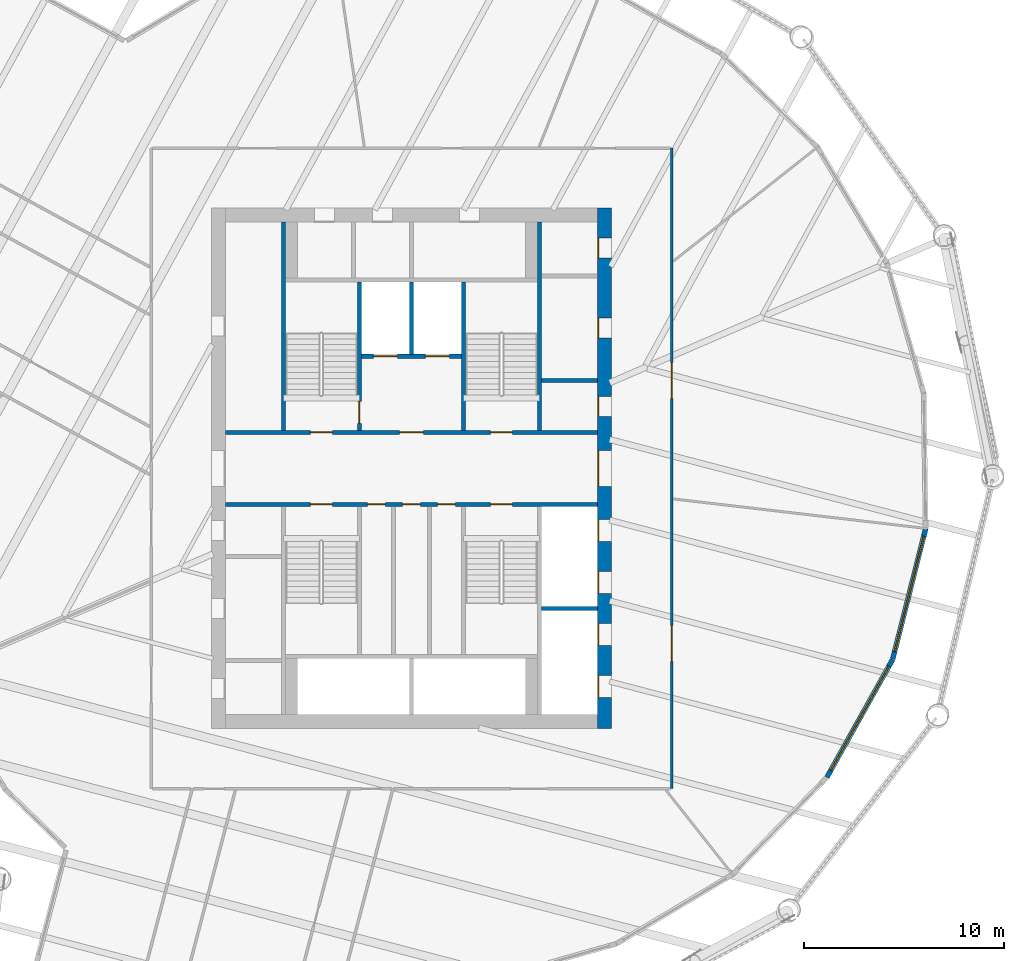
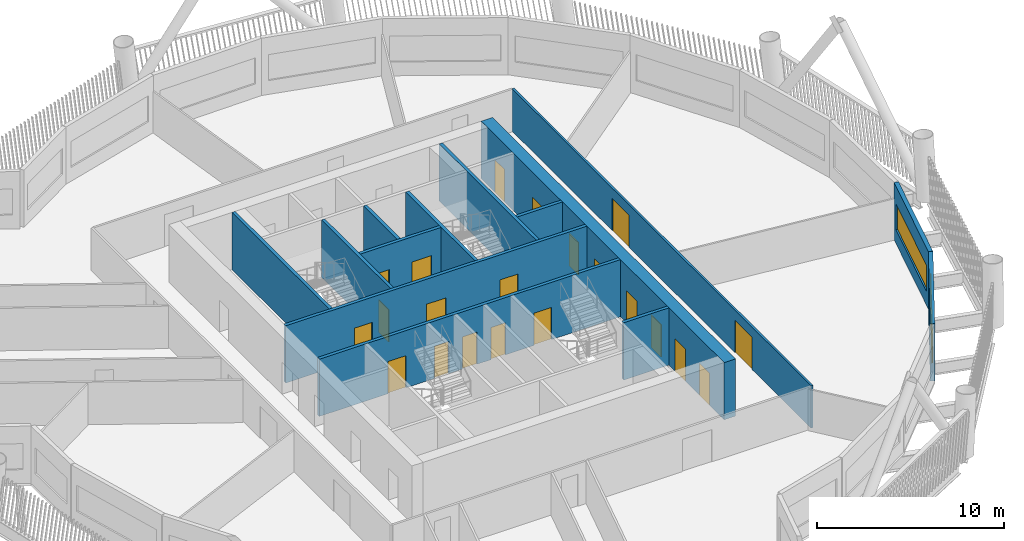
# One storey, part 5 of 24: 21 doors, 14 walls, 2 windows, 23 openings.
"""IFC4 building model written with IfcOpenShell, lengths in metres."""

from ifc_helpers import new_model, si_unit, direction, frame, frame_2d, origin, place, context, subcontext, project, spatial, rectangle, extrude, material, layer, layer_set, type_object, element, fill, save


model = new_model("IFC4")

# Units and contexts
model_context = context("Model", 3, precision=1e-05, world=origin(), true_north=direction((0.0, 1.0)))
body_context = subcontext(model_context, "Body", "Model", "MODEL_VIEW")
ifc_project = project(units=[si_unit("LENGTHUNIT", "METRE"), si_unit("AREAUNIT", "SQUARE_METRE"), si_unit("VOLUMEUNIT", "CUBIC_METRE"), si_unit("PLANEANGLEUNIT", "RADIAN"), si_unit("MASSUNIT", "GRAM", prefix="KILO")], contexts=[model_context])

# Site, building, storey
site_placement = place(None, origin())
site = spatial("IfcSite", under=ifc_project, at=site_placement, CompositionType="ELEMENT")
building_placement = place(site_placement, origin())
building = spatial("IfcBuilding", under=site, at=building_placement, Name="Tarsis Ring Headquarters", CompositionType="ELEMENT")
storey_placement = place(building_placement, frame((0.0, 0.0, 163.199951171875)))
storey = spatial("IfcBuildingStorey", under=building, at=storey_placement, Name="L37", CompositionType="ELEMENT", Elevation=163.199951171875)

# Wall
ifc_material_1 = material(Name="Blockwork", Category="masonry")
ifc_layer_1 = layer(ifc_material_1, 0.199951171875)
ifc_layer_set_1 = layer_set([ifc_layer_1], Name="Core blockwork wall 200")
wall_type_1 = type_object("IfcWallType", Name="Core blockwork wall 200", PredefinedType="PARTITIONING", material=ifc_layer_set_1)
wall_1_placement = place(storey_placement, frame((6.5, 4.39990234375, 0.0), z_axis=(0.0, 0.0, 1.0), x_axis=(1.0, 0.0, 0.0)))
element("IfcWall", 1, at=wall_1_placement, inside=storey, type_object=wall_type_1, Name="Core partition ED5", PredefinedType="PARTITIONING", context=body_context, shape_type="SweptSolid", body=[
    extrude(rectangle(XDim=2.800048828125, YDim=0.199951171875, at=frame_2d((1.39990234375, 0.0))), origin(), (0.0, 0.0, 1.0), 3.739990234375),
])

# Wall, openings, doors
ifc_material_2 = material(Name="Concrete C60/75", Category="concrete")
ifc_layer_2 = layer(ifc_material_2, 0.699951171875)
ifc_layer_set_2 = layer_set([ifc_layer_2], Name="Core wall 700 C60/75")
wall_type_2 = type_object("IfcWallType", Name="Core wall 700 C60/75", PredefinedType="SHEAR", material=ifc_layer_set_2)
wall_2_placement = place(storey_placement, frame((9.64990234375, -13.0, 0.0), z_axis=(0.0, 0.0, 1.0), x_axis=(0.0, 1.0, 0.0)))
wall_2 = element("IfcWall", 2, at=wall_2_placement, inside=storey, type_object=wall_type_2, Name="Core wall OE", PredefinedType="SHEAR", context=body_context, shape_type="SweptSolid", body=[
    extrude(rectangle(XDim=26.0, YDim=0.699951171875, at=frame_2d((13.0, 0.0))), origin(), (0.0, 0.0, 1.0), 3.739990234375),
])
opening_1_placement = place(wall_2_placement, frame((1.550048828125, 0.0, 0.0)))
opening_1 = element("IfcOpeningElement", 3, at=opening_1_placement, cuts=wall_2, Name="Opening LD-MR1", PredefinedType="OPENING", context=body_context, shape_type="SweptSolid", body=[
    extrude(rectangle(XDim=1.10009765625, YDim=2.10009765625, at=frame_2d((0.550048828125, 1.050048828125))), frame((0.0, 0.35986328125, 0.0), z_axis=(0.0, -1.0, 0.0), x_axis=(1.0, 0.0, 0.0)), (0.0, 0.0, 1.0), 0.719970703125),
])
opening_2_placement = place(wall_2_placement, frame((4.14990234375, 0.0, 0.0)))
opening_2 = element("IfcOpeningElement", 4, at=opening_2_placement, cuts=wall_2, Name="Opening LD-MR2", PredefinedType="OPENING", context=body_context, shape_type="SweptSolid", body=[
    extrude(rectangle(XDim=1.10009765625, YDim=2.10009765625, at=frame_2d((0.550048828125, 1.050048828125))), frame((0.0, 0.35986328125, 0.0), z_axis=(0.0, -1.0, 0.0), x_axis=(1.0, 0.0, 0.0)), (0.0, 0.0, 1.0), 0.719970703125),
])
opening_3_placement = place(wall_2_placement, frame((6.75, 0.0, 0.0)))
opening_3 = element("IfcOpeningElement", 5, at=opening_3_placement, cuts=wall_2, Name="Opening LD-MR3", PredefinedType="OPENING", context=body_context, shape_type="SweptSolid", body=[
    extrude(rectangle(XDim=1.10009765625, YDim=2.10009765625, at=frame_2d((0.550048828125, 1.050048828125))), frame((0.0, 0.35986328125, 0.0), z_axis=(0.0, -1.0, 0.0), x_axis=(1.0, 0.0, 0.0)), (0.0, 0.0, 1.0), 0.719970703125),
])
opening_4_placement = place(wall_2_placement, frame((9.35009765625, 0.0, 0.0)))
opening_4 = element("IfcOpeningElement", 6, at=opening_4_placement, cuts=wall_2, Name="Opening LD-MR4", PredefinedType="OPENING", context=body_context, shape_type="SweptSolid", body=[
    extrude(rectangle(XDim=1.10009765625, YDim=2.10009765625, at=frame_2d((0.550048828125, 1.050048828125))), frame((0.0, 0.35986328125, 0.0), z_axis=(0.0, -1.0, 0.0), x_axis=(1.0, 0.0, 0.0)), (0.0, 0.0, 1.0), 0.719970703125),
])
opening_5_placement = place(wall_2_placement, frame((12.10009765625, 0.0, 0.0)))
opening_5 = element("IfcOpeningElement", 7, at=opening_5_placement, cuts=wall_2, Name="Opening L37-C10", PredefinedType="OPENING", context=body_context, shape_type="SweptSolid", body=[
    extrude(rectangle(XDim=1.800048828125, YDim=2.10009765625, at=frame_2d((0.89990234375, 1.050048828125))), frame((0.0, 0.35986328125, 0.0), z_axis=(0.0, -1.0, 0.0), x_axis=(1.0, 0.0, 0.0)), (0.0, 0.0, 1.0), 0.719970703125),
])
opening_6_placement = place(wall_2_placement, frame((15.60009765625, 0.0, 0.0)))
opening_6 = element("IfcOpeningElement", 8, at=opening_6_placement, cuts=wall_2, Name="Opening L37-C11", PredefinedType="OPENING", context=body_context, shape_type="SweptSolid", body=[
    extrude(rectangle(XDim=1.0, YDim=2.10009765625, at=frame_2d((0.5, 1.050048828125))), frame((0.0, 0.35986328125, 0.0), z_axis=(0.0, -1.0, 0.0), x_axis=(1.0, 0.0, 0.0)), (0.0, 0.0, 1.0), 0.719970703125),
])
opening_7_placement = place(wall_2_placement, frame((19.5, 0.0, 0.0)))
opening_7 = element("IfcOpeningElement", 9, at=opening_7_placement, cuts=wall_2, Name="Opening L37-C12", PredefinedType="OPENING", context=body_context, shape_type="SweptSolid", body=[
    extrude(rectangle(XDim=1.0, YDim=2.10009765625, at=frame_2d((0.5, 1.050048828125))), frame((0.0, 0.35986328125, 0.0), z_axis=(0.0, -1.0, 0.0), x_axis=(1.0, 0.0, 0.0)), (0.0, 0.0, 1.0), 0.719970703125),
])
opening_8_placement = place(wall_2_placement, frame((23.5, 0.0, 0.0)))
opening_8 = element("IfcOpeningElement", 10, at=opening_8_placement, cuts=wall_2, Name="Opening L37-C13", PredefinedType="OPENING", context=body_context, shape_type="SweptSolid", body=[
    extrude(rectangle(XDim=1.0, YDim=2.10009765625, at=frame_2d((0.5, 1.050048828125))), frame((0.0, 0.35986328125, 0.0), z_axis=(0.0, -1.0, 0.0), x_axis=(1.0, 0.0, 0.0)), (0.0, 0.0, 1.0), 0.719970703125),
])
ifc_material_3 = material(Name="Steel S355", Category="steel")
door_type_1 = type_object("IfcDoorType", Name="Core entry door 1800x2100", OperationType="DOUBLE_DOOR_SINGLE_SWING", PredefinedType="DOOR", material=ifc_material_3)
door_1_placement = place(opening_5_placement, origin())
door_1 = element("IfcDoor", 11, at=door_1_placement, inside=storey, type_object=door_type_1, Name="Core entry door L37", OperationType="DOUBLE_DOOR_SINGLE_SWING", OverallHeight=2.10009765625, OverallWidth=1.800048828125, PredefinedType="DOOR", context=body_context, shape_type="SweptSolid", body=[
    extrude(rectangle(XDim=1.800048828125, YDim=2.10009765625, at=frame_2d((0.89990234375, 1.050048828125))), frame((0.0, 0.35009765625, 0.0), z_axis=(0.0, -1.0, 0.0), x_axis=(1.0, 0.0, 0.0)), (0.0, 0.0, 1.0), 0.050048828125),
])
fill(opening_5, door_1)
door_type_2 = type_object("IfcDoorType", Name="Core room door 1000x2100", OperationType="SINGLE_SWING_LEFT", PredefinedType="DOOR", material=ifc_material_3)
door_2_placement = place(opening_6_placement, origin())
door_2 = element("IfcDoor", 12, at=door_2_placement, inside=storey, type_object=door_type_2, Name="Core room door L37", OperationType="SINGLE_SWING_LEFT", OverallHeight=2.10009765625, OverallWidth=1.0, PredefinedType="DOOR", context=body_context, shape_type="SweptSolid", body=[
    extrude(rectangle(XDim=1.0, YDim=2.10009765625, at=frame_2d((0.5, 1.050048828125))), frame((0.0, 0.35009765625, 0.0), z_axis=(0.0, -1.0, 0.0), x_axis=(1.0, 0.0, 0.0)), (0.0, 0.0, 1.0), 0.050048828125),
])
fill(opening_6, door_2)
door_3_placement = place(opening_7_placement, origin())
door_3 = element("IfcDoor", 13, at=door_3_placement, inside=storey, type_object=door_type_2, Name="Core room door L37", OperationType="SINGLE_SWING_LEFT", OverallHeight=2.10009765625, OverallWidth=1.0, PredefinedType="DOOR", context=body_context, shape_type="SweptSolid", body=[
    extrude(rectangle(XDim=1.0, YDim=2.10009765625, at=frame_2d((0.5, 1.050048828125))), frame((0.0, 0.35009765625, 0.0), z_axis=(0.0, -1.0, 0.0), x_axis=(1.0, 0.0, 0.0)), (0.0, 0.0, 1.0), 0.050048828125),
])
fill(opening_7, door_3)
door_4_placement = place(opening_8_placement, origin())
door_4 = element("IfcDoor", 14, at=door_4_placement, inside=storey, type_object=door_type_2, Name="Core room door L37", OperationType="SINGLE_SWING_LEFT", OverallHeight=2.10009765625, OverallWidth=1.0, PredefinedType="DOOR", context=body_context, shape_type="SweptSolid", body=[
    extrude(rectangle(XDim=1.0, YDim=2.10009765625, at=frame_2d((0.5, 1.050048828125))), frame((0.0, 0.35009765625, 0.0), z_axis=(0.0, -1.0, 0.0), x_axis=(1.0, 0.0, 0.0)), (0.0, 0.0, 1.0), 0.050048828125),
])
fill(opening_8, door_4)
door_type_3 = type_object("IfcDoorType", Name="Landing door 1100x2100", OperationType="SLIDING_TO_LEFT", PredefinedType="DOOR", material=ifc_material_3)
door_5_placement = place(opening_1_placement, origin())
door_5 = element("IfcDoor", 15, at=door_5_placement, inside=storey, type_object=door_type_3, Name="Landing door MR1 L37", OperationType="SLIDING_TO_LEFT", OverallHeight=2.10009765625, OverallWidth=1.10009765625, PredefinedType="DOOR", context=body_context, shape_type="SweptSolid", body=[
    extrude(rectangle(XDim=1.10009765625, YDim=2.10009765625, at=frame_2d((0.550048828125, 1.050048828125))), frame((0.0, 0.35009765625, 0.0), z_axis=(0.0, -1.0, 0.0), x_axis=(1.0, 0.0, 0.0)), (0.0, 0.0, 1.0), 0.050048828125),
])
fill(opening_1, door_5)
door_6_placement = place(opening_2_placement, origin())
door_6 = element("IfcDoor", 16, at=door_6_placement, inside=storey, type_object=door_type_3, Name="Landing door MR2 L37", OperationType="SLIDING_TO_LEFT", OverallHeight=2.10009765625, OverallWidth=1.10009765625, PredefinedType="DOOR", context=body_context, shape_type="SweptSolid", body=[
    extrude(rectangle(XDim=1.10009765625, YDim=2.10009765625, at=frame_2d((0.550048828125, 1.050048828125))), frame((0.0, 0.35009765625, 0.0), z_axis=(0.0, -1.0, 0.0), x_axis=(1.0, 0.0, 0.0)), (0.0, 0.0, 1.0), 0.050048828125),
])
fill(opening_2, door_6)
door_7_placement = place(opening_3_placement, origin())
door_7 = element("IfcDoor", 17, at=door_7_placement, inside=storey, type_object=door_type_3, Name="Landing door MR3 L37", OperationType="SLIDING_TO_LEFT", OverallHeight=2.10009765625, OverallWidth=1.10009765625, PredefinedType="DOOR", context=body_context, shape_type="SweptSolid", body=[
    extrude(rectangle(XDim=1.10009765625, YDim=2.10009765625, at=frame_2d((0.550048828125, 1.050048828125))), frame((0.0, 0.35009765625, 0.0), z_axis=(0.0, -1.0, 0.0), x_axis=(1.0, 0.0, 0.0)), (0.0, 0.0, 1.0), 0.050048828125),
])
fill(opening_3, door_7)
door_8_placement = place(opening_4_placement, origin())
door_8 = element("IfcDoor", 18, at=door_8_placement, inside=storey, type_object=door_type_3, Name="Landing door MR4 L37", OperationType="SLIDING_TO_LEFT", OverallHeight=2.10009765625, OverallWidth=1.10009765625, PredefinedType="DOOR", context=body_context, shape_type="SweptSolid", body=[
    extrude(rectangle(XDim=1.10009765625, YDim=2.10009765625, at=frame_2d((0.550048828125, 1.050048828125))), frame((0.0, 0.35009765625, 0.0), z_axis=(0.0, -1.0, 0.0), x_axis=(1.0, 0.0, 0.0)), (0.0, 0.0, 1.0), 0.050048828125),
])
fill(opening_4, door_8)

ifc_material_4 = material(Name="Gypsum board on steel studs", Category="steel")
ifc_layer_3 = layer(ifc_material_4, 0.125)
ifc_layer_set_3 = layer_set([ifc_layer_3], Name="FL partition 125 EI 60 H2770")
wall_type_3 = type_object("IfcWallType", Name="FL partition 125 EI 60 H2770", PredefinedType="PARTITIONING", material=ifc_layer_set_3)
wall_3_placement = place(storey_placement, frame((13.0, -16.0, 0.0), z_axis=(0.0, 0.0, 1.0), x_axis=(0.0, 1.0, 0.0)))
wall_3 = element("IfcWall", 19, at=wall_3_placement, inside=storey, type_object=wall_type_3, Name="Partition PW1", PredefinedType="PARTITIONING", context=body_context, shape_type="SweptSolid", body=[
    extrude(rectangle(XDim=32.0, YDim=0.125, at=frame_2d((16.0, 0.0))), origin(), (0.0, 0.0, 1.0), 2.77001953125),
])
opening_9_placement = place(wall_3_placement, frame((19.481689453125, 0.0, 0.0)))
opening_9 = element("IfcOpeningElement", 20, at=opening_9_placement, cuts=wall_3, Name="Opening D37.05", PredefinedType="OPENING", context=body_context, shape_type="SweptSolid", body=[
    extrude(rectangle(XDim=1.800048828125, YDim=2.10009765625, at=frame_2d((0.89990234375, 1.050048828125))), frame((0.0, 0.072509765625, 0.0), z_axis=(0.0, -1.0, 0.0), x_axis=(1.0, 0.0, 0.0)), (0.0, 0.0, 1.0), 0.14501953125),
])
opening_10_placement = place(wall_3_placement, frame((6.341064453125, 0.0, 0.0)))
opening_10 = element("IfcOpeningElement", 21, at=opening_10_placement, cuts=wall_3, Name="Opening D37.06", PredefinedType="OPENING", context=body_context, shape_type="SweptSolid", body=[
    extrude(rectangle(XDim=1.800048828125, YDim=2.10009765625, at=frame_2d((0.89990234375, 1.050048828125))), frame((0.0, 0.072509765625, 0.0), z_axis=(0.0, -1.0, 0.0), x_axis=(1.0, 0.0, 0.0)), (0.0, 0.0, 1.0), 0.14501953125),
])
ifc_material_5 = material(Name="Fire-rated timber door leaf in steel frame", Category="steel")
door_type_4 = type_object("IfcDoorType", Name="FL door FD60-1800", OperationType="DOUBLE_DOOR_SINGLE_SWING", PredefinedType="DOOR", material=ifc_material_5)
door_9_placement = place(opening_9_placement, origin())
door_9 = element("IfcDoor", 22, at=door_9_placement, inside=storey, type_object=door_type_4, Name="Door D37.05", OperationType="DOUBLE_DOOR_SINGLE_SWING", OverallHeight=2.10009765625, OverallWidth=1.800048828125, PredefinedType="DOOR", context=body_context, shape_type="SweptSolid", body=[
    extrude(rectangle(XDim=1.800048828125, YDim=2.10009765625, at=frame_2d((0.89990234375, 1.050048828125))), frame((0.0, 0.02490234375, 0.0), z_axis=(0.0, -1.0, 0.0), x_axis=(1.0, 0.0, 0.0)), (0.0, 0.0, 1.0), 0.050048828125),
])
fill(opening_9, door_9)
door_10_placement = place(opening_10_placement, origin())
door_10 = element("IfcDoor", 23, at=door_10_placement, inside=storey, type_object=door_type_4, Name="Door D37.06", OperationType="DOUBLE_DOOR_SINGLE_SWING", OverallHeight=2.10009765625, OverallWidth=1.800048828125, PredefinedType="DOOR", context=body_context, shape_type="SweptSolid", body=[
    extrude(rectangle(XDim=1.800048828125, YDim=2.10009765625, at=frame_2d((0.89990234375, 1.050048828125))), frame((0.0, 0.02490234375, 0.0), z_axis=(0.0, -1.0, 0.0), x_axis=(1.0, 0.0, 0.0)), (0.0, 0.0, 1.0), 0.050048828125),
])
fill(opening_10, door_10)

# Wall, opening, window
ifc_material_6 = material(Name="Terracotta clad insulated panel wall", Category="masonry")
ifc_layer_4 = layer(ifc_material_6, 0.25)
ifc_layer_set_4 = layer_set([ifc_layer_4], Name="Facade wall terracotta panel 250")
wall_type_4 = type_object("IfcWallType", Name="Facade wall terracotta panel 250", PredefinedType="STANDARD", material=ifc_layer_set_4)
wall_4_placement = place(storey_placement, frame((20.763916015625, -15.43408203125, 0.0), z_axis=(0.0, 0.0, 1.0), x_axis=(0.487261173596, 0.87325629039, 0.0)))
wall_4 = element("IfcWall", 24, at=wall_4_placement, inside=storey, type_object=wall_type_4, Name="External wall L37-20", PredefinedType="STANDARD", context=body_context, shape_type="SweptSolid", body=[
    extrude(rectangle(XDim=6.721435546875, YDim=0.25, at=frame_2d((3.36083984375, 0.0))), origin(), (0.0, 0.0, 1.0), 3.739990234375),
])
opening_11_placement = place(wall_4_placement, frame((0.3857421875, 0.0, 0.89990234375)))
opening_11 = element("IfcOpeningElement", 25, at=opening_11_placement, cuts=wall_4, Name="Opening WN07", PredefinedType="OPENING", context=body_context, shape_type="SweptSolid", body=[
    extrude(rectangle(XDim=5.949951171875, YDim=1.699951171875, at=frame_2d((2.97509765625, 0.85009765625))), frame((0.0, 0.135009765625, 0.0), z_axis=(0.0, -1.0, 0.0), x_axis=(1.0, 0.0, 0.0)), (0.0, 0.0, 1.0), 0.27001953125),
])
ifc_material_7 = material(Name="Aluminium framed double glazing", Category="aluminium")
window_type = type_object("IfcWindowType", Name="Facade window 5950 x 1700", PartitioningType="SINGLE_PANEL", PredefinedType="WINDOW", material=ifc_material_7)
window_1_placement = place(opening_11_placement, origin())
window_1 = element("IfcWindow", 26, at=window_1_placement, inside=storey, type_object=window_type, Name="Window L37-20.1", OverallHeight=1.699951171875, OverallWidth=5.949951171875, PartitioningType="SINGLE_PANEL", PredefinedType="WINDOW", context=body_context, shape_type="SweptSolid", body=[
    extrude(rectangle(XDim=5.949951171875, YDim=1.699951171875, at=frame_2d((2.97509765625, 0.85009765625))), frame((0.0, 0.030029296875, 0.0), z_axis=(0.0, -1.0, 0.0), x_axis=(1.0, 0.0, 0.0)), (0.0, 0.0, 1.0), 0.06005859375),
])
fill(opening_11, window_1)

wall_5_placement = place(storey_placement, frame((24.051025390625, -9.533935546875, 0.0), z_axis=(0.0, 0.0, 1.0), x_axis=(0.244637534485, 0.96961460216, 0.0)))
wall_5 = element("IfcWall", 27, at=wall_5_placement, inside=storey, type_object=wall_type_4, Name="External wall L37-21", PredefinedType="STANDARD", context=body_context, shape_type="SweptSolid", body=[
    extrude(rectangle(XDim=6.721435546875, YDim=0.25, at=frame_2d((3.36083984375, 0.0))), origin(), (0.0, 0.0, 1.0), 3.739990234375),
])
opening_12_placement = place(wall_5_placement, frame((0.3857421875, 0.0, 0.89990234375)))
opening_12 = element("IfcOpeningElement", 28, at=opening_12_placement, cuts=wall_5, Name="Opening WN07", PredefinedType="OPENING", context=body_context, shape_type="SweptSolid", body=[
    extrude(rectangle(XDim=5.949951171875, YDim=1.699951171875, at=frame_2d((2.97509765625, 0.85009765625))), frame((0.0, 0.135009765625, 0.0), z_axis=(0.0, -1.0, 0.0), x_axis=(1.0, 0.0, 0.0)), (0.0, 0.0, 1.0), 0.27001953125),
])
window_2_placement = place(opening_12_placement, origin())
window_2 = element("IfcWindow", 29, at=window_2_placement, inside=storey, type_object=window_type, Name="Window L37-21.1", OverallHeight=1.699951171875, OverallWidth=5.949951171875, PartitioningType="SINGLE_PANEL", PredefinedType="WINDOW", context=body_context, shape_type="SweptSolid", body=[
    extrude(rectangle(XDim=5.949951171875, YDim=1.699951171875, at=frame_2d((2.97509765625, 0.85009765625))), frame((0.0, 0.030029296875, 0.0), z_axis=(0.0, -1.0, 0.0), x_axis=(1.0, 0.0, 0.0)), (0.0, 0.0, 1.0), 0.06005859375),
])
fill(opening_12, window_2)

# Wall, openings, doors
ifc_material_8 = material(Name="Concrete C32/40", Category="concrete")
ifc_layer_5 = layer(ifc_material_8, 0.199951171875)
ifc_layer_set_5 = layer_set([ifc_layer_5], Name="Shaft wall 200 C32/40")
wall_type_5 = type_object("IfcWallType", Name="Shaft wall 200 C32/40", PredefinedType="SOLIDWALL", material=ifc_layer_set_5)
wall_6_placement = place(storey_placement, frame((-9.300048828125, 1.800048828125, 0.0), z_axis=(0.0, 0.0, 1.0), x_axis=(1.0, 0.0, 0.0)))
wall_6 = element("IfcWall", 30, at=wall_6_placement, inside=storey, type_object=wall_type_5, Name="Core shaft wall CN", PredefinedType="SOLIDWALL", context=body_context, shape_type="SweptSolid", body=[
    extrude(rectangle(XDim=18.60009765625, YDim=0.199951171875, at=frame_2d((9.300048828125, 0.0))), origin(), (0.0, 0.0, 1.0), 3.739990234375),
])
opening_13_placement = place(wall_6_placement, frame((4.25, 0.0, 0.0)))
opening_13 = element("IfcOpeningElement", 31, at=opening_13_placement, cuts=wall_6, Name="Opening L37-C17", PredefinedType="OPENING", context=body_context, shape_type="SweptSolid", body=[
    extrude(rectangle(XDim=1.10009765625, YDim=2.10009765625, at=frame_2d((0.550048828125, 1.050048828125))), frame((0.0, 0.10986328125, 0.0), z_axis=(0.0, -1.0, 0.0), x_axis=(1.0, 0.0, 0.0)), (0.0, 0.0, 1.0), 0.219970703125),
])
opening_14_placement = place(wall_6_placement, frame((8.699951171875, 0.0, 0.0)))
opening_14 = element("IfcOpeningElement", 32, at=opening_14_placement, cuts=wall_6, Name="Opening L37-C18", PredefinedType="OPENING", context=body_context, shape_type="SweptSolid", body=[
    extrude(rectangle(XDim=1.199951171875, YDim=2.10009765625, at=frame_2d((0.60009765625, 1.050048828125))), frame((0.0, 0.10986328125, 0.0), z_axis=(0.0, -1.0, 0.0), x_axis=(1.0, 0.0, 0.0)), (0.0, 0.0, 1.0), 0.219970703125),
])
opening_15_placement = place(wall_6_placement, frame((13.25, 0.0, 0.0)))
opening_15 = element("IfcOpeningElement", 33, at=opening_15_placement, cuts=wall_6, Name="Opening L37-C19", PredefinedType="OPENING", context=body_context, shape_type="SweptSolid", body=[
    extrude(rectangle(XDim=1.10009765625, YDim=2.10009765625, at=frame_2d((0.550048828125, 1.050048828125))), frame((0.0, 0.10986328125, 0.0), z_axis=(0.0, -1.0, 0.0), x_axis=(1.0, 0.0, 0.0)), (0.0, 0.0, 1.0), 0.219970703125),
])
door_type_5 = type_object("IfcDoorType", Name="Firefighting lobby door 1200x2100", OperationType="DOUBLE_DOOR_SINGLE_SWING", PredefinedType="DOOR", material=ifc_material_3)
door_11_placement = place(opening_14_placement, origin())
door_11 = element("IfcDoor", 34, at=door_11_placement, inside=storey, type_object=door_type_5, Name="Firefighting lobby door L37", OperationType="DOUBLE_DOOR_SINGLE_SWING", OverallHeight=2.10009765625, OverallWidth=1.199951171875, PredefinedType="DOOR", context=body_context, shape_type="SweptSolid", body=[
    extrude(rectangle(XDim=1.199951171875, YDim=2.10009765625, at=frame_2d((0.60009765625, 1.050048828125))), frame((0.0, 0.02490234375, 0.0), z_axis=(0.0, -1.0, 0.0), x_axis=(1.0, 0.0, 0.0)), (0.0, 0.0, 1.0), 0.050048828125),
])
fill(opening_14, door_11)
door_type_6 = type_object("IfcDoorType", Name="Stair door 1100x2100", OperationType="SINGLE_SWING_LEFT", PredefinedType="DOOR", material=ifc_material_3)
door_12_placement = place(opening_13_placement, origin())
door_12 = element("IfcDoor", 35, at=door_12_placement, inside=storey, type_object=door_type_6, Name="Stair door L37", OperationType="SINGLE_SWING_LEFT", OverallHeight=2.10009765625, OverallWidth=1.10009765625, PredefinedType="DOOR", context=body_context, shape_type="SweptSolid", body=[
    extrude(rectangle(XDim=1.10009765625, YDim=2.10009765625, at=frame_2d((0.550048828125, 1.050048828125))), frame((0.0, 0.02490234375, 0.0), z_axis=(0.0, -1.0, 0.0), x_axis=(1.0, 0.0, 0.0)), (0.0, 0.0, 1.0), 0.050048828125),
])
fill(opening_13, door_12)
door_13_placement = place(opening_15_placement, origin())
door_13 = element("IfcDoor", 36, at=door_13_placement, inside=storey, type_object=door_type_6, Name="Stair door L37", OperationType="SINGLE_SWING_LEFT", OverallHeight=2.10009765625, OverallWidth=1.10009765625, PredefinedType="DOOR", context=body_context, shape_type="SweptSolid", body=[
    extrude(rectangle(XDim=1.10009765625, YDim=2.10009765625, at=frame_2d((0.550048828125, 1.050048828125))), frame((0.0, 0.02490234375, 0.0), z_axis=(0.0, -1.0, 0.0), x_axis=(1.0, 0.0, 0.0)), (0.0, 0.0, 1.0), 0.050048828125),
])
fill(opening_15, door_13)

wall_7_placement = place(storey_placement, frame((-9.300048828125, -1.800048828125, 0.0), z_axis=(0.0, 0.0, 1.0), x_axis=(1.0, 0.0, 0.0)))
wall_7 = element("IfcWall", 37, at=wall_7_placement, inside=storey, type_object=wall_type_5, Name="Core shaft wall CS", PredefinedType="SOLIDWALL", context=body_context, shape_type="SweptSolid", body=[
    extrude(rectangle(XDim=18.60009765625, YDim=0.199951171875, at=frame_2d((9.300048828125, 0.0))), origin(), (0.0, 0.0, 1.0), 3.739990234375),
])
opening_16_placement = place(wall_7_placement, frame((4.25, 0.0, 0.0)))
opening_16 = element("IfcOpeningElement", 38, at=opening_16_placement, cuts=wall_7, Name="Opening L37-C20", PredefinedType="OPENING", context=body_context, shape_type="SweptSolid", body=[
    extrude(rectangle(XDim=1.10009765625, YDim=2.10009765625, at=frame_2d((0.550048828125, 1.050048828125))), frame((0.0, 0.10986328125, 0.0), z_axis=(0.0, -1.0, 0.0), x_axis=(1.0, 0.0, 0.0)), (0.0, 0.0, 1.0), 0.219970703125),
])
opening_17_placement = place(wall_7_placement, frame((7.10009765625, 0.0, 0.0)))
opening_17 = element("IfcOpeningElement", 39, at=opening_17_placement, cuts=wall_7, Name="Opening L37-C21", PredefinedType="OPENING", context=body_context, shape_type="SweptSolid", body=[
    extrude(rectangle(XDim=0.89990234375, YDim=2.10009765625, at=frame_2d((0.449951171875, 1.050048828125))), frame((0.0, 0.10986328125, 0.0), z_axis=(0.0, -1.0, 0.0), x_axis=(1.0, 0.0, 0.0)), (0.0, 0.0, 1.0), 0.219970703125),
])
opening_18_placement = place(wall_7_placement, frame((8.85009765625, 0.0, 0.0)))
opening_18 = element("IfcOpeningElement", 40, at=opening_18_placement, cuts=wall_7, Name="Opening L37-C22", PredefinedType="OPENING", context=body_context, shape_type="SweptSolid", body=[
    extrude(rectangle(XDim=0.89990234375, YDim=2.10009765625, at=frame_2d((0.449951171875, 1.050048828125))), frame((0.0, 0.10986328125, 0.0), z_axis=(0.0, -1.0, 0.0), x_axis=(1.0, 0.0, 0.0)), (0.0, 0.0, 1.0), 0.219970703125),
])
opening_19_placement = place(wall_7_placement, frame((10.60009765625, 0.0, 0.0)))
opening_19 = element("IfcOpeningElement", 41, at=opening_19_placement, cuts=wall_7, Name="Opening L37-C23", PredefinedType="OPENING", context=body_context, shape_type="SweptSolid", body=[
    extrude(rectangle(XDim=0.89990234375, YDim=2.10009765625, at=frame_2d((0.449951171875, 1.050048828125))), frame((0.0, 0.10986328125, 0.0), z_axis=(0.0, -1.0, 0.0), x_axis=(1.0, 0.0, 0.0)), (0.0, 0.0, 1.0), 0.219970703125),
])
opening_20_placement = place(wall_7_placement, frame((13.25, 0.0, 0.0)))
opening_20 = element("IfcOpeningElement", 42, at=opening_20_placement, cuts=wall_7, Name="Opening L37-C24", PredefinedType="OPENING", context=body_context, shape_type="SweptSolid", body=[
    extrude(rectangle(XDim=1.10009765625, YDim=2.10009765625, at=frame_2d((0.550048828125, 1.050048828125))), frame((0.0, 0.10986328125, 0.0), z_axis=(0.0, -1.0, 0.0), x_axis=(1.0, 0.0, 0.0)), (0.0, 0.0, 1.0), 0.219970703125),
])
door_14_placement = place(opening_16_placement, origin())
door_14 = element("IfcDoor", 43, at=door_14_placement, inside=storey, type_object=door_type_6, Name="Stair door L37", OperationType="SINGLE_SWING_LEFT", OverallHeight=2.10009765625, OverallWidth=1.10009765625, PredefinedType="DOOR", context=body_context, shape_type="SweptSolid", body=[
    extrude(rectangle(XDim=1.10009765625, YDim=2.10009765625, at=frame_2d((0.550048828125, 1.050048828125))), frame((0.0, 0.02490234375, 0.0), z_axis=(0.0, -1.0, 0.0), x_axis=(1.0, 0.0, 0.0)), (0.0, 0.0, 1.0), 0.050048828125),
])
fill(opening_16, door_14)
door_15_placement = place(opening_20_placement, origin())
door_15 = element("IfcDoor", 44, at=door_15_placement, inside=storey, type_object=door_type_6, Name="Stair door L37", OperationType="SINGLE_SWING_LEFT", OverallHeight=2.10009765625, OverallWidth=1.10009765625, PredefinedType="DOOR", context=body_context, shape_type="SweptSolid", body=[
    extrude(rectangle(XDim=1.10009765625, YDim=2.10009765625, at=frame_2d((0.550048828125, 1.050048828125))), frame((0.0, 0.02490234375, 0.0), z_axis=(0.0, -1.0, 0.0), x_axis=(1.0, 0.0, 0.0)), (0.0, 0.0, 1.0), 0.050048828125),
])
fill(opening_20, door_15)
door_type_7 = type_object("IfcDoorType", Name="WC door 900x2100", OperationType="SINGLE_SWING_LEFT", PredefinedType="DOOR", material=ifc_material_3)
door_16_placement = place(opening_17_placement, origin())
door_16 = element("IfcDoor", 45, at=door_16_placement, inside=storey, type_object=door_type_7, Name="WC door L37", OperationType="SINGLE_SWING_LEFT", OverallHeight=2.10009765625, OverallWidth=0.89990234375, PredefinedType="DOOR", context=body_context, shape_type="SweptSolid", body=[
    extrude(rectangle(XDim=0.89990234375, YDim=2.10009765625, at=frame_2d((0.449951171875, 1.050048828125))), frame((0.0, 0.02490234375, 0.0), z_axis=(0.0, -1.0, 0.0), x_axis=(1.0, 0.0, 0.0)), (0.0, 0.0, 1.0), 0.050048828125),
])
fill(opening_17, door_16)
door_17_placement = place(opening_18_placement, origin())
door_17 = element("IfcDoor", 46, at=door_17_placement, inside=storey, type_object=door_type_7, Name="WC door L37", OperationType="SINGLE_SWING_LEFT", OverallHeight=2.10009765625, OverallWidth=0.89990234375, PredefinedType="DOOR", context=body_context, shape_type="SweptSolid", body=[
    extrude(rectangle(XDim=0.89990234375, YDim=2.10009765625, at=frame_2d((0.449951171875, 1.050048828125))), frame((0.0, 0.02490234375, 0.0), z_axis=(0.0, -1.0, 0.0), x_axis=(1.0, 0.0, 0.0)), (0.0, 0.0, 1.0), 0.050048828125),
])
fill(opening_18, door_17)
door_18_placement = place(opening_19_placement, origin())
door_18 = element("IfcDoor", 47, at=door_18_placement, inside=storey, type_object=door_type_7, Name="WC door L37", OperationType="SINGLE_SWING_LEFT", OverallHeight=2.10009765625, OverallWidth=0.89990234375, PredefinedType="DOOR", context=body_context, shape_type="SweptSolid", body=[
    extrude(rectangle(XDim=0.89990234375, YDim=2.10009765625, at=frame_2d((0.449951171875, 1.050048828125))), frame((0.0, 0.02490234375, 0.0), z_axis=(0.0, -1.0, 0.0), x_axis=(1.0, 0.0, 0.0)), (0.0, 0.0, 1.0), 0.050048828125),
])
fill(opening_19, door_18)

# Walls
for number, where, z_axis, x_axis, name in (
    (48, (-6.39990234375, 1.89990234375, 0.0), (0.0, 0.0, 1.0), (0.0, 1.0, 0.0), "Core shaft wall WB2"),
    (49, (6.39990234375, 1.89990234375, 0.0), (0.0, 0.0, 1.0), (0.0, 1.0, 0.0), "Core shaft wall EB2"),
):
    element("IfcWall", number, at=place(storey_placement, frame(where, z_axis=z_axis, x_axis=x_axis)), inside=storey, type_object=wall_type_5, Name=name, PredefinedType="SOLIDWALL", context=body_context, shape_type="SweptSolid", body=[
        extrude(rectangle(XDim=10.400146484375, YDim=0.199951171875, at=frame_2d((5.2001953125, 0.0))), origin(), (0.0, 0.0, 1.0), 3.739990234375),
    ])

# Wall, opening, door
wall_8_placement = place(storey_placement, frame((-2.60009765625, 1.89990234375, 0.0), z_axis=(0.0, 0.0, 1.0), x_axis=(0.0, 1.0, 0.0)))
wall_8 = element("IfcWall", 50, at=wall_8_placement, inside=storey, type_object=wall_type_5, Name="Core shaft wall SW1", PredefinedType="SOLIDWALL", context=body_context, shape_type="SweptSolid", body=[
    extrude(rectangle(XDim=7.400146484375, YDim=0.199951171875, at=frame_2d((3.7001953125, 0.0))), origin(), (0.0, 0.0, 1.0), 3.739990234375),
])
opening_21_placement = place(wall_8_placement, frame((0.35009765625, 0.0, 0.0)))
opening_21 = element("IfcOpeningElement", 51, at=opening_21_placement, cuts=wall_8, Name="Opening L37-C25", PredefinedType="OPENING", context=body_context, shape_type="SweptSolid", body=[
    extrude(rectangle(XDim=1.10009765625, YDim=2.10009765625, at=frame_2d((0.550048828125, 1.050048828125))), frame((0.0, 0.10986328125, 0.0), z_axis=(0.0, -1.0, 0.0), x_axis=(1.0, 0.0, 0.0)), (0.0, 0.0, 1.0), 0.219970703125),
])
door_19_placement = place(opening_21_placement, origin())
door_19 = element("IfcDoor", 52, at=door_19_placement, inside=storey, type_object=door_type_6, Name="Stair door L37", OperationType="SINGLE_SWING_LEFT", OverallHeight=2.10009765625, OverallWidth=1.10009765625, PredefinedType="DOOR", context=body_context, shape_type="SweptSolid", body=[
    extrude(rectangle(XDim=1.10009765625, YDim=2.10009765625, at=frame_2d((0.550048828125, 1.050048828125))), frame((0.0, 0.02490234375, 0.0), z_axis=(0.0, -1.0, 0.0), x_axis=(1.0, 0.0, 0.0)), (0.0, 0.0, 1.0), 0.050048828125),
])
fill(opening_21, door_19)

# Wall
wall_9_placement = place(storey_placement, frame((2.60009765625, 1.89990234375, 0.0), z_axis=(0.0, 0.0, 1.0), x_axis=(0.0, 1.0, 0.0)))
element("IfcWall", 53, at=wall_9_placement, inside=storey, type_object=wall_type_5, Name="Core shaft wall SW2", PredefinedType="SOLIDWALL", context=body_context, shape_type="SweptSolid", body=[
    extrude(rectangle(XDim=7.400146484375, YDim=0.199951171875, at=frame_2d((3.7001953125, 0.0))), origin(), (0.0, 0.0, 1.0), 3.739990234375),
])

# Wall, openings, doors
wall_10_placement = place(storey_placement, frame((-2.5, 5.60009765625, 0.0), z_axis=(0.0, 0.0, 1.0), x_axis=(1.0, 0.0, 0.0)))
wall_10 = element("IfcWall", 54, at=wall_10_placement, inside=storey, type_object=wall_type_5, Name="Core shaft wall FFN", PredefinedType="SOLIDWALL", context=body_context, shape_type="SweptSolid", body=[
    extrude(rectangle(XDim=5.0, YDim=0.199951171875, at=frame_2d((2.5, 0.0))), origin(), (0.0, 0.0, 1.0), 3.739990234375),
])
opening_22_placement = place(wall_10_placement, frame((0.60009765625, 0.0, 0.0)))
opening_22 = element("IfcOpeningElement", 55, at=opening_22_placement, cuts=wall_10, Name="Opening LDF-1", PredefinedType="OPENING", context=body_context, shape_type="SweptSolid", body=[
    extrude(rectangle(XDim=1.199951171875, YDim=2.10009765625, at=frame_2d((0.60009765625, 1.050048828125))), frame((0.0, 0.10986328125, 0.0), z_axis=(0.0, -1.0, 0.0), x_axis=(1.0, 0.0, 0.0)), (0.0, 0.0, 1.0), 0.219970703125),
])
opening_23_placement = place(wall_10_placement, frame((3.199951171875, 0.0, 0.0)))
opening_23 = element("IfcOpeningElement", 56, at=opening_23_placement, cuts=wall_10, Name="Opening LDF-2", PredefinedType="OPENING", context=body_context, shape_type="SweptSolid", body=[
    extrude(rectangle(XDim=1.199951171875, YDim=2.10009765625, at=frame_2d((0.60009765625, 1.050048828125))), frame((0.0, 0.10986328125, 0.0), z_axis=(0.0, -1.0, 0.0), x_axis=(1.0, 0.0, 0.0)), (0.0, 0.0, 1.0), 0.219970703125),
])
door_type_8 = type_object("IfcDoorType", Name="Firefighting landing door 1200x2100", OperationType="SLIDING_TO_LEFT", PredefinedType="DOOR", material=ifc_material_3)
door_20_placement = place(opening_22_placement, origin())
door_20 = element("IfcDoor", 57, at=door_20_placement, inside=storey, type_object=door_type_8, Name="Landing door FF1 L37", OperationType="SLIDING_TO_LEFT", OverallHeight=2.10009765625, OverallWidth=1.199951171875, PredefinedType="DOOR", context=body_context, shape_type="SweptSolid", body=[
    extrude(rectangle(XDim=1.199951171875, YDim=2.10009765625, at=frame_2d((0.60009765625, 1.050048828125))), frame((0.0, 0.02490234375, 0.0), z_axis=(0.0, -1.0, 0.0), x_axis=(1.0, 0.0, 0.0)), (0.0, 0.0, 1.0), 0.050048828125),
])
fill(opening_22, door_20)
door_21_placement = place(opening_23_placement, origin())
door_21 = element("IfcDoor", 58, at=door_21_placement, inside=storey, type_object=door_type_8, Name="Landing door FF2 L37", OperationType="SLIDING_TO_LEFT", OverallHeight=2.10009765625, OverallWidth=1.199951171875, PredefinedType="DOOR", context=body_context, shape_type="SweptSolid", body=[
    extrude(rectangle(XDim=1.199951171875, YDim=2.10009765625, at=frame_2d((0.60009765625, 1.050048828125))), frame((0.0, 0.02490234375, 0.0), z_axis=(0.0, -1.0, 0.0), x_axis=(1.0, 0.0, 0.0)), (0.0, 0.0, 1.0), 0.050048828125),
])
fill(opening_23, door_21)

# Walls
wall_11_placement = place(storey_placement, frame((0.0, 5.699951171875, 0.0), z_axis=(0.0, 0.0, 1.0), x_axis=(0.0, 1.0, 0.0)))
element("IfcWall", 59, at=wall_11_placement, inside=storey, type_object=wall_type_5, Name="Core shaft wall FFD", PredefinedType="SOLIDWALL", context=body_context, shape_type="SweptSolid", body=[
    extrude(rectangle(XDim=3.60009765625, YDim=0.199951171875, at=frame_2d((1.800048828125, 0.0))), origin(), (0.0, 0.0, 1.0), 3.739990234375),
])
wall_12_placement = place(storey_placement, frame((6.5, -7.0, 0.0), z_axis=(0.0, 0.0, 1.0), x_axis=(1.0, 0.0, 0.0)))
element("IfcWall", 60, at=wall_12_placement, inside=storey, type_object=wall_type_5, Name="Core shaft wall ED2", PredefinedType="SOLIDWALL", context=body_context, shape_type="SweptSolid", body=[
    extrude(rectangle(XDim=2.800048828125, YDim=0.199951171875, at=frame_2d((1.39990234375, 0.0))), origin(), (0.0, 0.0, 1.0), 3.739990234375),
])

save(model, "model.ifc")
